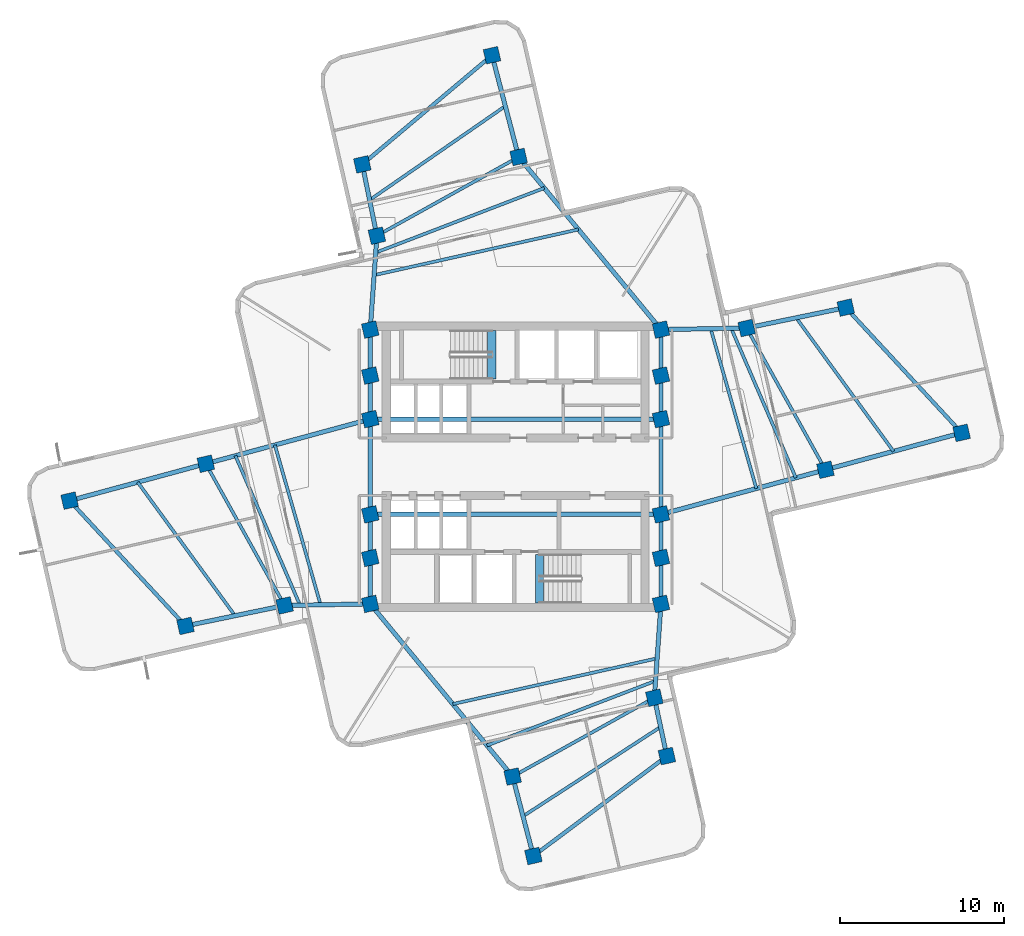
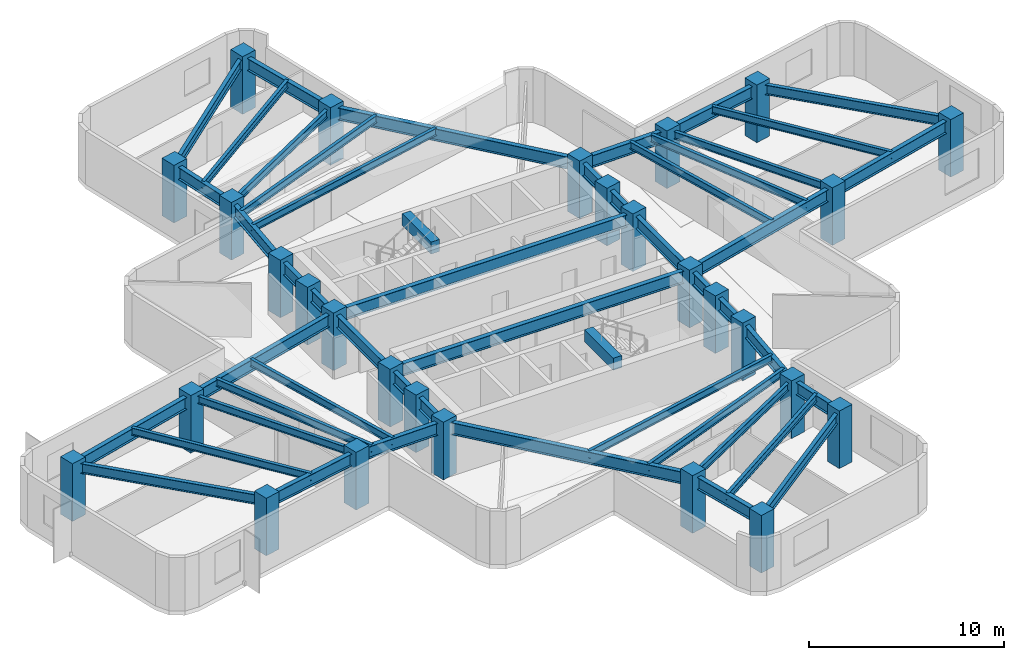
# One storey, part 1 of 7: 50 beams, 28 columns.
"""IFC4 building model written with IfcOpenShell, lengths in metres."""

import ifcopenshell
import ifcopenshell.guid

model = None  # the IFC model being written
_history = None  # IfcOwnerHistory: only IFC2X3 demands one
_inside = {}  # id of a spatial element -> (the spatial element, [elements in it])
_under = {}  # id of a project, library or spatial element -> (it, [spatial elements below it])
_declared = {}  # id of a project -> (the project, [libraries it declares])
_typed = {}  # id of a type object -> (the type object, [elements of that type])
_made_of = {}  # id of a material, layer set ... -> (it, [elements and type objects made of it])


def new_model(schema):
    """Start an empty IFC model of exactly this schema.

    Asked for "IFC4X3", IfcOpenShell would pick the latest addendum, in which some entities
    have other attributes; the version numbers below select the first issue.
    IFC2X3 requires an IfcOwnerHistory on every rooted entity: one is made here for all.
    """
    global model, _history
    if schema == "IFC4X3":
        model = ifcopenshell.file(schema_version=(4, 3, 0, 0))
    else:
        model = ifcopenshell.file(schema=schema)
    _inside.clear()
    _under.clear()
    _declared.clear()
    _typed.clear()
    _made_of.clear()
    _history = None
    if model.schema == "IFC2X3":
        org = make("IfcOrganization", Name="unknown")
        user = make(
            "IfcPersonAndOrganization",
            ThePerson=make("IfcPerson", FamilyName="unknown"),
            TheOrganization=org,
        )
        app = make(
            "IfcApplication",
            ApplicationDeveloper=org,
            Version="unknown",
            ApplicationFullName="unknown",
            ApplicationIdentifier="unknown",
        )
        _history = make(
            "IfcOwnerHistory",
            OwningUser=user,
            OwningApplication=app,
            ChangeAction="ADDED",
            CreationDate=0,
        )
    return model


def make(cls, **values):
    """One entity of the class cls with the attributes given. An attribute that is None is left unset."""
    return model.create_entity(
        cls, **{name: value for name, value in values.items() if value is not None}
    )


def rooted(cls, **values):
    """An entity with a GlobalId (a new one), such as an element, a storey or a relation."""
    return make(cls, GlobalId=ifcopenshell.guid.new(), OwnerHistory=_history, **values)


def si_unit(unit_type, name, prefix=None):
    """IfcSIUnit, for example si_unit("LENGTHUNIT", "METRE", prefix="MILLI")."""
    return make("IfcSIUnit", UnitType=unit_type, Prefix=prefix, Name=name)


def assignment(units):
    """IfcUnitAssignment: the units of a project."""
    return None if units is None else make("IfcUnitAssignment", Units=units)


def point(xyz):
    """IfcCartesianPoint."""
    return None if xyz is None else make("IfcCartesianPoint", Coordinates=xyz)


def direction(xyz):
    """IfcDirection."""
    return None if xyz is None else make("IfcDirection", DirectionRatios=xyz)


def frame(location, z_axis=None, x_axis=None):
    """IfcAxis2Placement3D, a coordinate frame: its origin and axes. An axis left out is left unset."""
    return make(
        "IfcAxis2Placement3D",
        Location=point(location),
        Axis=direction(z_axis),
        RefDirection=direction(x_axis),
    )


def frame_2d(location, x_axis=None):
    """IfcAxis2Placement2D, a coordinate frame in the plane: its origin and x axis."""
    return make(
        "IfcAxis2Placement2D", Location=point(location), RefDirection=direction(x_axis)
    )


def origin():
    """The frame at (0, 0, 0) with its axes left unset."""
    return frame((0.0, 0.0, 0.0))


def origin_2d():
    """The frame at (0, 0) in the plane with its x axis left unset."""
    return frame_2d((0.0, 0.0))


def place(relative_to, where):
    """IfcLocalPlacement: puts the frame where relative to a parent placement (None: the world)."""
    return make(
        "IfcLocalPlacement", PlacementRelTo=relative_to, RelativePlacement=where
    )


def context(
    kind, dimensions, precision=None, world=None, true_north=None, identifier=None
):
    """IfcGeometricRepresentationContext, for example the 3D "Model" context."""
    return make(
        "IfcGeometricRepresentationContext",
        ContextIdentifier=identifier,
        ContextType=kind,
        CoordinateSpaceDimension=dimensions,
        Precision=precision,
        WorldCoordinateSystem=world,
        TrueNorth=true_north,
    )


def subcontext(parent, identifier, kind, view, scale=None):
    """IfcGeometricRepresentationSubContext, for example "Body" below "Model"."""
    return make(
        "IfcGeometricRepresentationSubContext",
        ContextIdentifier=identifier,
        ContextType=kind,
        ParentContext=parent,
        TargetScale=scale,
        TargetView=view,
    )


def project(units=None, contexts=None):
    """IfcProject with its units and contexts."""
    return rooted(
        "IfcProject",
        Name="project",
        RepresentationContexts=contexts,
        UnitsInContext=assignment(units),
    )


def spatial(cls, under=None, at=None, **own):
    """A site, building, storey or space (cls), placed at a placement, below another one or the project."""
    s = rooted(cls, ObjectPlacement=at, **own)
    if under is not None:
        _under.setdefault(under.id(), (under, []))[1].append(s)
    return s


def profile(cls, at=None, kind="AREA", **sizes):
    """A parametric profile (cls). Its sizes go by their IFC names, for example OverallWidth=200.0."""
    return make(cls, ProfileType=kind, Position=at, **sizes)


def rectangle(**sizes):
    """IfcRectangleProfileDef."""
    return profile("IfcRectangleProfileDef", **sizes)


def i_section(**sizes):
    """IfcIShapeProfileDef."""
    return profile("IfcIShapeProfileDef", **sizes)


def extrude(swept, where, along, depth):
    """IfcExtrudedAreaSolid: the profile swept, set in the frame where, extruded along a direction by depth."""
    return make(
        "IfcExtrudedAreaSolid",
        SweptArea=swept,
        Position=where,
        ExtrudedDirection=direction(along),
        Depth=depth,
    )


def shape(context_of_items, identifier, shape_type, items):
    """IfcShapeRepresentation: the items that make up one representation, for example the "Body"."""
    return make(
        "IfcShapeRepresentation",
        ContextOfItems=context_of_items,
        RepresentationIdentifier=identifier,
        RepresentationType=shape_type,
        Items=items,
    )


def material(Name=None, Category=None):
    """IfcMaterial."""
    return make("IfcMaterial", Name=Name, Category=Category)


def material_profile(
    of_material, cross_section, Name=None, Category=None, Priority=None
):
    """IfcMaterialProfile: a cross section and its material."""
    return make(
        "IfcMaterialProfile",
        Name=Name,
        Material=of_material,
        Profile=cross_section,
        Priority=Priority,
        Category=Category,
    )


def profile_set(profiles, Name=None, composite=None):
    """IfcMaterialProfileSet."""
    return make(
        "IfcMaterialProfileSet",
        Name=Name,
        MaterialProfiles=profiles,
        CompositeProfile=composite,
    )


def made_of(thing, what):
    """Note that an element or type object is made of a material, layer set ...; save() writes the relation."""
    if what is not None:
        _made_of.setdefault(what.id(), (what, []))[1].append(thing)
    return thing


def type_object(cls, material=None, **own):
    """A type object (cls), such as IfcWallType, which elements share."""
    return made_of(rooted(cls, **own), material)


def element(
    cls,
    number,
    at=None,
    inside=None,
    cuts=None,
    type_object=None,
    material=None,
    context=None,
    identifier="Body",
    shape_type=None,
    held_by="IfcProductDefinitionShape",
    body=None,
    shapes=None,
    **own,
):
    """One element of the class cls, such as IfcWall. Its Tag is "e" and its number.

    at: its placement. inside: the storey or other place that contains it. cuts: it is an
    opening in that element (IfcRelVoidsElement). A single representation is given by context,
    identifier, shape_type and body (its items); several are given by shapes. held_by: the class
    of the entity that holds the representations. save() writes the other relations.
    """
    e = rooted(cls, Tag="e%d" % number, ObjectPlacement=at, **own)
    if body is not None:
        shapes = [shape(context, identifier, shape_type, body)]
    if shapes is not None:
        e.Representation = make(held_by, Representations=shapes)
    if inside is not None:
        _inside.setdefault(inside.id(), (inside, []))[1].append(e)
    if cuts is not None:
        rooted(
            "IfcRelVoidsElement", RelatingBuildingElement=cuts, RelatedOpeningElement=e
        )
    if type_object is not None:
        _typed.setdefault(type_object.id(), (type_object, []))[1].append(e)
    return made_of(e, material)


def aggregate(whole, parts):
    """IfcRelAggregates: a whole, such as a stair, and the parts it consists of."""
    return rooted("IfcRelAggregates", RelatingObject=whole, RelatedObjects=parts)


def save(model, path):
    """Write the relations noted so far, then the file.

    IfcRelAggregates (storeys below a building ...), IfcRelContainedInSpatialStructure (elements
    in a storey), IfcRelDefinesByType, IfcRelAssociatesMaterial and IfcRelDeclares: one each for
    every whole, place, type object, material and project.
    """
    for whole, parts in _under.values():
        aggregate(whole, parts)
    for where, things in _inside.values():
        rooted(
            "IfcRelContainedInSpatialStructure",
            RelatedElements=things,
            RelatingStructure=where,
        )
    for kind, things in _typed.values():
        rooted("IfcRelDefinesByType", RelatedObjects=things, RelatingType=kind)
    for what, things in _made_of.values():
        rooted("IfcRelAssociatesMaterial", RelatedObjects=things, RelatingMaterial=what)
    for by, libraries in _declared.values():
        rooted("IfcRelDeclares", RelatingContext=by, RelatedDefinitions=libraries)
    model.write(path)


model = new_model("IFC4")

# Units and contexts
model_context = context("Model", 3, precision=1e-05, world=origin(), true_north=direction((0.0, 1.0)))
body_context = subcontext(model_context, "Body", "Model", "MODEL_VIEW")
ifc_project = project(units=[si_unit("LENGTHUNIT", "METRE"), si_unit("AREAUNIT", "SQUARE_METRE"), si_unit("VOLUMEUNIT", "CUBIC_METRE"), si_unit("PLANEANGLEUNIT", "RADIAN"), si_unit("MASSUNIT", "GRAM", prefix="KILO")], contexts=[model_context])

# Site, building, storey
site_placement = place(None, origin())
site = spatial("IfcSite", under=ifc_project, at=site_placement, CompositionType="ELEMENT")
building_placement = place(site_placement, origin())
building = spatial("IfcBuilding", under=site, at=building_placement, Name="Solmarez Civic Tower", CompositionType="ELEMENT")
storey_placement = place(building_placement, frame((0.0, 0.0, 116.280029296875)))
storey = spatial("IfcBuildingStorey", under=building, at=storey_placement, Name="L30", CompositionType="ELEMENT", Elevation=116.280029296875)

# Columns
ifc_material_1 = material(Name="Concrete C50/60", Category="concrete")
ifc_material_profile_1 = material_profile(ifc_material_1, rectangle(XDim=0.89990234375, YDim=0.89990234375, at=origin_2d()), Name="RC900X900")
ifc_profile_set_1 = profile_set([ifc_material_profile_1], Name="Concrete C50/60")
column_type = type_object("IfcColumnType", Name="COL-RC900", PredefinedType="COLUMN", material=ifc_profile_set_1)
for number, where, z_axis, x_axis, name in (
    (1, (-8.85009765625, -5.550048828125, 0.0), (0.0, 0.0, 1.0), (0.974761194191, 0.223250116011, 0.0), "L30 Structural Column HC1"),
    (2, (-8.85009765625, -2.89990234375, 0.0), (0.0, 0.0, 1.0), (0.974761194191, 0.223250116011, 0.0), "L30 Structural Column HC2"),
    (3, (-8.85009765625, 2.89990234375, 0.0), (0.0, 0.0, 1.0), (0.974761194191, 0.223250116011, 0.0), "L30 Structural Column HC3"),
    (4, (-8.85009765625, 5.550048828125, 0.0), (0.0, 0.0, 1.0), (0.974761194191, 0.223250116011, 0.0), "L30 Structural Column HC4"),
    (5, (8.85009765625, -5.550048828125, 0.0), (0.0, 0.0, 1.0), (0.974761194191, 0.223250116011, 0.0), "L30 Structural Column HC5"),
    (6, (8.85009765625, -2.89990234375, 0.0), (0.0, 0.0, 1.0), (0.974761194191, 0.223250116011, 0.0), "L30 Structural Column HC6"),
    (7, (8.85009765625, 2.89990234375, 0.0), (0.0, 0.0, 1.0), (0.974761194191, 0.223250116011, 0.0), "L30 Structural Column HC7"),
    (8, (8.85009765625, 5.550048828125, 0.0), (0.0, 0.0, 1.0), (0.974761194191, 0.223250116011, 0.0), "L30 Structural Column HC8"),
    (9, (-8.85009765625, 8.35009765625, 0.0), (0.0, 0.0, 1.0), (0.974761194191, 0.223250116011, 0.0), "L30 Structural Column HC9"),
    (10, (8.85009765625, -8.35009765625, 0.0), (0.0, 0.0, 1.0), (0.974761194191, 0.223250116011, 0.0), "L30 Structural Column HC10"),
    (11, (8.85009765625, 8.35009765625, 0.0), (0.0, 0.0, 1.0), (0.974761194191, 0.223250116011, 0.0), "L30 Structural Column HC11"),
    (12, (-8.85009765625, -8.35009765625, 0.0), (0.0, 0.0, 1.0), (0.974761194191, 0.223250116011, 0.0), "L30 Structural Column HC12"),
    (13, (18.860107421875, -0.18310546875, 0.0), (0.0, 0.0, 1.0), (0.974761194191, 0.223250116011, 0.0), "L30 Structural Column EA11"),
    (14, (14.06396484375, 8.445068359375, 0.0), (0.0, 0.0, 1.0), (0.974761194191, 0.223250116011, 0.0), "L30 Structural Column EA12"),
    (15, (27.153076171875, 2.06396484375, 0.0), (0.0, 0.0, 1.0), (0.974761194191, 0.223250116011, 0.0), "L30 Structural Column EA21"),
    (16, (20.097900390625, 9.69189453125, 0.0), (0.0, 0.0, 1.0), (0.974761194191, 0.223250116011, 0.0), "L30 Structural Column EA22"),
    (17, (0.18310546875, 18.860107421875, 0.0), (0.0, 0.0, 1.0), (0.974761194191, 0.223250116011, 0.0), "L30 Structural Column NA11"),
    (18, (-8.445068359375, 14.06396484375, 0.0), (0.0, 0.0, 1.0), (0.974761194191, 0.223250116011, 0.0), "L30 Structural Column NA12"),
    (19, (-1.43701171875, 25.052001953125, 0.0), (0.0, 0.0, 1.0), (0.974761194191, 0.223250116011, 0.0), "L30 Structural Column NA21"),
    (20, (-9.3330078125, 18.408935546875, 0.0), (0.0, 0.0, 1.0), (0.974761194191, 0.223250116011, 0.0), "L30 Structural Column NA22"),
    (21, (-18.860107421875, 0.18310546875, 0.0), (0.0, 0.0, 1.0), (0.974761194191, 0.223250116011, 0.0), "L30 Structural Column WA11"),
    (22, (-14.06396484375, -8.445068359375, 0.0), (0.0, 0.0, 1.0), (0.974761194191, 0.223250116011, 0.0), "L30 Structural Column WA12"),
    (23, (-27.153076171875, -2.06396484375, 0.0), (0.0, 0.0, 1.0), (0.974761194191, 0.223250116011, 0.0), "L30 Structural Column WA21"),
    (24, (-20.097900390625, -9.69189453125, 0.0), (0.0, 0.0, 1.0), (0.974761194191, 0.223250116011, 0.0), "L30 Structural Column WA22"),
    (25, (-0.18310546875, -18.860107421875, 0.0), (0.0, 0.0, 1.0), (0.974761194191, 0.223250116011, 0.0), "L30 Structural Column SA11"),
    (26, (8.445068359375, -14.06396484375, 0.0), (0.0, 0.0, 1.0), (0.974761194191, 0.223250116011, 0.0), "L30 Structural Column SA12"),
    (27, (1.0830078125, -23.697021484375, 0.0), (0.0, 0.0, 1.0), (0.974761194191, 0.223250116011, 0.0), "L30 Structural Column SA21"),
    (28, (9.2080078125, -17.614990234375, 0.0), (0.0, 0.0, 1.0), (0.974761194191, 0.223250116011, 0.0), "L30 Structural Column SA22"),
):
    element("IfcColumn", number, at=place(storey_placement, frame(where, z_axis=z_axis, x_axis=x_axis)), inside=storey, type_object=column_type, Name=name, PredefinedType="COLUMN", context=body_context, shape_type="SweptSolid", body=[
        extrude(rectangle(XDim=0.89990234375, YDim=0.89990234375, at=origin_2d()), origin(), (0.0, 0.0, 1.0), 3.599853515625),
    ])

# Beams
ifc_material_2 = material(Name="Steel S355", Category="steel")
ifc_material_profile_2 = material_profile(ifc_material_2, i_section(OverallWidth=0.19189453125, OverallDepth=0.462890625, WebThickness=0.010498046875, FlangeThickness=0.017578125, at=origin_2d()), Name="W18X60")
ifc_profile_set_2 = profile_set([ifc_material_profile_2], Name="Steel S355")
beam_type_1 = type_object("IfcBeamType", Name="BM-JS-W18X60", PredefinedType="JOIST", material=ifc_profile_set_2)
beam_1_placement = place(storey_placement, frame((18.860107421875, -0.18310546875, 3.10888671875), z_axis=(-0.485852902718, 0.874040592261, 0.0), x_axis=(-0.874040592261, -0.485852902718, 0.0)))
element("IfcBeam", 29, at=beam_1_placement, inside=storey, type_object=beam_type_1, Name="L30 Secondary Floor Joist BM-L30-EA-T1", PredefinedType="JOIST", context=body_context, shape_type="SweptSolid", body=[
    extrude(i_section(OverallWidth=0.19189453125, OverallDepth=0.462890625, WebThickness=0.010498046875, FlangeThickness=0.017578125, at=origin_2d()), origin(), (0.0, 0.0, 1.0), 9.87158203125),
])
beam_2_placement = place(storey_placement, frame((23.006103515625, 0.94091796875, 3.10888671875), z_axis=(-0.589058914091, 0.808090091345, 0.0), x_axis=(-0.808090091345, -0.589058914091, 0.0)))
element("IfcBeam", 30, at=beam_2_placement, inside=storey, type_object=beam_type_1, Name="L30 Secondary Floor Joist JS-L30-EA-M2", PredefinedType="JOIST", context=body_context, shape_type="SweptSolid", body=[
    extrude(i_section(OverallWidth=0.19189453125, OverallDepth=0.462890625, WebThickness=0.010498046875, FlangeThickness=0.017578125, at=origin_2d()), origin(), (0.0, 0.0, 1.0), 10.05859375),
])
beam_3_placement = place(storey_placement, frame((14.656005859375, -1.323974609375, 3.10888671875), z_axis=(-0.27492825036, 0.961464745664, 0.0), x_axis=(-0.961464745664, -0.27492825036, 0.0)))
element("IfcBeam", 31, at=beam_3_placement, inside=storey, type_object=beam_type_1, Name="L30 Secondary Floor Joist JS-L30-EA-M11", PredefinedType="JOIST", context=body_context, shape_type="SweptSolid", body=[
    extrude(i_section(OverallWidth=0.19189453125, OverallDepth=0.462890625, WebThickness=0.010498046875, FlangeThickness=0.017578125, at=origin_2d()), origin(), (0.0, 0.0, 1.0), 10.118896484375),
])
beam_4_placement = place(storey_placement, frame((17.05810546875, -0.672119140625, 3.10888671875), z_axis=(-0.396735074316, 0.917933157048, 0.0), x_axis=(-0.917933157048, -0.396735074316, 0.0)))
element("IfcBeam", 32, at=beam_4_placement, inside=storey, type_object=beam_type_1, Name="L30 Secondary Floor Joist JS-L30-EA-M12", PredefinedType="JOIST", context=body_context, shape_type="SweptSolid", body=[
    extrude(i_section(OverallWidth=0.19189453125, OverallDepth=0.462890625, WebThickness=0.010498046875, FlangeThickness=0.017578125, at=origin_2d()), origin(), (0.0, 0.0, 1.0), 9.91357421875),
])
beam_5_placement = place(storey_placement, frame((0.18310546875, 18.860107421875, 3.10888671875), z_axis=(-0.874040592261, -0.485852902718, 0.0), x_axis=(0.485852902718, -0.874040592261, 0.0)))
element("IfcBeam", 33, at=beam_5_placement, inside=storey, type_object=beam_type_1, Name="L30 Secondary Floor Joist BM-L30-NA-T1", PredefinedType="JOIST", context=body_context, shape_type="SweptSolid", body=[
    extrude(i_section(OverallWidth=0.19189453125, OverallDepth=0.462890625, WebThickness=0.010498046875, FlangeThickness=0.017578125, at=origin_2d()), origin(), (0.0, 0.0, 1.0), 9.87158203125),
])
beam_6_placement = place(storey_placement, frame((-0.626953125, 21.9560546875, 3.10888671875), z_axis=(-0.822185194468, -0.56922008573, 0.0), x_axis=(0.56922008573, -0.822185194468, 0.0)))
element("IfcBeam", 34, at=beam_6_placement, inside=storey, type_object=beam_type_1, Name="L30 Secondary Floor Joist JS-L30-NA-M2", PredefinedType="JOIST", context=body_context, shape_type="SweptSolid", body=[
    extrude(i_section(OverallWidth=0.19189453125, OverallDepth=0.462890625, WebThickness=0.010498046875, FlangeThickness=0.017578125, at=origin_2d()), origin(), (0.0, 0.0, 1.0), 10.048828125),
])
beam_7_placement = place(storey_placement, frame((3.822998046875, 14.446044921875, 3.10888671875), z_axis=(-0.975887310906, -0.218274955988, 0.0), x_axis=(0.218274955988, -0.975887310906, 0.0)))
element("IfcBeam", 35, at=beam_7_placement, inside=storey, type_object=beam_type_1, Name="L30 Secondary Floor Joist JS-L30-NA-M11", PredefinedType="JOIST", context=body_context, shape_type="SweptSolid", body=[
    extrude(i_section(OverallWidth=0.19189453125, OverallDepth=0.462890625, WebThickness=0.010498046875, FlangeThickness=0.017578125, at=origin_2d()), origin(), (0.0, 0.0, 1.0), 12.745361328125),
])
beam_8_placement = place(storey_placement, frame((1.742919921875, 16.968017578125, 3.10888671875), z_axis=(-0.933754408709, -0.357914381125, 0.0), x_axis=(0.357914381125, -0.933754408709, 0.0)))
element("IfcBeam", 36, at=beam_8_placement, inside=storey, type_object=beam_type_1, Name="L30 Secondary Floor Joist JS-L30-NA-M12", PredefinedType="JOIST", context=body_context, shape_type="SweptSolid", body=[
    extrude(i_section(OverallWidth=0.19189453125, OverallDepth=0.462890625, WebThickness=0.010498046875, FlangeThickness=0.017578125, at=origin_2d()), origin(), (0.0, 0.0, 1.0), 10.989013671875),
])
beam_9_placement = place(storey_placement, frame((-18.860107421875, 0.18310546875, 3.10888671875), z_axis=(0.485852902718, -0.874040592261, 0.0), x_axis=(0.874040592261, 0.485852902718, 0.0)))
element("IfcBeam", 37, at=beam_9_placement, inside=storey, type_object=beam_type_1, Name="L30 Secondary Floor Joist BM-L30-WA-T1", PredefinedType="JOIST", context=body_context, shape_type="SweptSolid", body=[
    extrude(i_section(OverallWidth=0.19189453125, OverallDepth=0.462890625, WebThickness=0.010498046875, FlangeThickness=0.017578125, at=origin_2d()), origin(), (0.0, 0.0, 1.0), 9.87158203125),
])
beam_10_placement = place(storey_placement, frame((-23.006103515625, -0.94091796875, 3.10888671875), z_axis=(0.589058914091, -0.808090091345, 0.0), x_axis=(0.808090091345, 0.589058914091, 0.0)))
element("IfcBeam", 38, at=beam_10_placement, inside=storey, type_object=beam_type_1, Name="L30 Secondary Floor Joist JS-L30-WA-M2", PredefinedType="JOIST", context=body_context, shape_type="SweptSolid", body=[
    extrude(i_section(OverallWidth=0.19189453125, OverallDepth=0.462890625, WebThickness=0.010498046875, FlangeThickness=0.017578125, at=origin_2d()), origin(), (0.0, 0.0, 1.0), 10.05859375),
])
beam_11_placement = place(storey_placement, frame((-14.656005859375, 1.323974609375, 3.10888671875), z_axis=(0.27492825036, -0.961464745664, 0.0), x_axis=(0.961464745664, 0.27492825036, 0.0)))
element("IfcBeam", 39, at=beam_11_placement, inside=storey, type_object=beam_type_1, Name="L30 Secondary Floor Joist JS-L30-WA-M11", PredefinedType="JOIST", context=body_context, shape_type="SweptSolid", body=[
    extrude(i_section(OverallWidth=0.19189453125, OverallDepth=0.462890625, WebThickness=0.010498046875, FlangeThickness=0.017578125, at=origin_2d()), origin(), (0.0, 0.0, 1.0), 10.118896484375),
])
beam_12_placement = place(storey_placement, frame((-17.05810546875, 0.672119140625, 3.10888671875), z_axis=(0.396735074316, -0.917933157048, 0.0), x_axis=(0.917933157048, 0.396735074316, 0.0)))
element("IfcBeam", 40, at=beam_12_placement, inside=storey, type_object=beam_type_1, Name="L30 Secondary Floor Joist JS-L30-WA-M12", PredefinedType="JOIST", context=body_context, shape_type="SweptSolid", body=[
    extrude(i_section(OverallWidth=0.19189453125, OverallDepth=0.462890625, WebThickness=0.010498046875, FlangeThickness=0.017578125, at=origin_2d()), origin(), (0.0, 0.0, 1.0), 9.91357421875),
])
beam_13_placement = place(storey_placement, frame((-0.18310546875, -18.860107421875, 3.10888671875), z_axis=(0.874040592261, 0.485852902718, 0.0), x_axis=(-0.485852902718, 0.874040592261, 0.0)))
element("IfcBeam", 41, at=beam_13_placement, inside=storey, type_object=beam_type_1, Name="L30 Secondary Floor Joist BM-L30-SA-T1", PredefinedType="JOIST", context=body_context, shape_type="SweptSolid", body=[
    extrude(i_section(OverallWidth=0.19189453125, OverallDepth=0.462890625, WebThickness=0.010498046875, FlangeThickness=0.017578125, at=origin_2d()), origin(), (0.0, 0.0, 1.0), 9.87158203125),
])
beam_14_placement = place(storey_placement, frame((0.449951171875, -21.279052734375, 3.10888671875), z_axis=(0.83864684805, 0.54467555871, 0.0), x_axis=(-0.54467555871, 0.83864684805, 0.0)))
element("IfcBeam", 42, at=beam_14_placement, inside=storey, type_object=beam_type_1, Name="L30 Secondary Floor Joist JS-L30-SA-M2", PredefinedType="JOIST", context=body_context, shape_type="SweptSolid", body=[
    extrude(i_section(OverallWidth=0.19189453125, OverallDepth=0.462890625, WebThickness=0.010498046875, FlangeThickness=0.017578125, at=origin_2d()), origin(), (0.0, 0.0, 1.0), 9.987548828125),
])
beam_15_placement = place(storey_placement, frame((-3.822998046875, -14.446044921875, 3.10888671875), z_axis=(0.975887310906, 0.218274955988, 0.0), x_axis=(-0.218274955988, 0.975887310906, 0.0)))
element("IfcBeam", 43, at=beam_15_placement, inside=storey, type_object=beam_type_1, Name="L30 Secondary Floor Joist JS-L30-SA-M11", PredefinedType="JOIST", context=body_context, shape_type="SweptSolid", body=[
    extrude(i_section(OverallWidth=0.19189453125, OverallDepth=0.462890625, WebThickness=0.010498046875, FlangeThickness=0.017578125, at=origin_2d()), origin(), (0.0, 0.0, 1.0), 12.745361328125),
])
beam_16_placement = place(storey_placement, frame((-1.742919921875, -16.968017578125, 3.10888671875), z_axis=(0.933754408709, 0.357914381125, 0.0), x_axis=(-0.357914381125, 0.933754408709, 0.0)))
element("IfcBeam", 44, at=beam_16_placement, inside=storey, type_object=beam_type_1, Name="L30 Secondary Floor Joist JS-L30-SA-M12", PredefinedType="JOIST", context=body_context, shape_type="SweptSolid", body=[
    extrude(i_section(OverallWidth=0.19189453125, OverallDepth=0.462890625, WebThickness=0.010498046875, FlangeThickness=0.017578125, at=origin_2d()), origin(), (0.0, 0.0, 1.0), 10.989013671875),
])
ifc_material_profile_3 = material_profile(ifc_material_1, rectangle(XDim=0.5, YDim=0.75, at=origin_2d()), Name="RC500X750")
ifc_profile_set_3 = profile_set([ifc_material_profile_3], Name="Concrete C50/60")
beam_type_2 = type_object("IfcBeamType", Name="BM-PR-RC500X750", PredefinedType="BEAM", material=ifc_profile_set_3)
for number, where, z_axis, x_axis, name in (
    (45, (-1.449951171875, 5.340087890625, 3.23291015625), (0.0, 1.0, 0.0), (-1.0, 0.0, 0.0), "L30 North Stair Threshold Beam"),
    (46, (1.449951171875, -8.300048828125, 3.23291015625), (0.0, 1.0, 0.0), (-1.0, 0.0, 0.0), "L30 South Stair Threshold Beam"),
):
    element("IfcBeam", number, at=place(storey_placement, frame(where, z_axis=z_axis, x_axis=x_axis)), inside=storey, type_object=beam_type_2, Name=name, PredefinedType="BEAM", context=body_context, shape_type="SweptSolid", body=[
        extrude(rectangle(XDim=0.5, YDim=0.75, at=origin_2d()), origin(), (0.0, 0.0, 1.0), 2.9599609375),
    ])
ifc_material_profile_4 = material_profile(ifc_material_2, i_section(OverallWidth=0.26708984375, OverallDepth=0.761962890625, WebThickness=0.014404296875, FlangeThickness=0.021484375, at=origin_2d()), Name="W30X116")
ifc_profile_set_4 = profile_set([ifc_material_profile_4], Name="Steel S355")
beam_type_3 = type_object("IfcBeamType", Name="BM-PR-W30X116", PredefinedType="BEAM", material=ifc_profile_set_4)
beam_17_placement = place(storey_placement, frame((-8.85009765625, -8.35009765625, 2.958984375), z_axis=(0.0, 1.0, 0.0), x_axis=(-1.0, 0.0, 0.0)))
element("IfcBeam", 47, at=beam_17_placement, inside=storey, type_object=beam_type_3, Name="L30 Primary Floor Beam BM-L30-HC12-HC1", PredefinedType="BEAM", context=body_context, shape_type="SweptSolid", body=[
    extrude(i_section(OverallWidth=0.26708984375, OverallDepth=0.761962890625, WebThickness=0.014404296875, FlangeThickness=0.021484375, at=origin_2d()), origin(), (0.0, 0.0, 1.0), 2.800048828125),
])
beam_18_placement = place(storey_placement, frame((-8.85009765625, -5.550048828125, 2.958984375), z_axis=(0.0, 1.0, 0.0), x_axis=(-1.0, 0.0, 0.0)))
element("IfcBeam", 48, at=beam_18_placement, inside=storey, type_object=beam_type_3, Name="L30 Primary Floor Beam BM-L30-HC1-HC2", PredefinedType="BEAM", context=body_context, shape_type="SweptSolid", body=[
    extrude(i_section(OverallWidth=0.26708984375, OverallDepth=0.761962890625, WebThickness=0.014404296875, FlangeThickness=0.021484375, at=origin_2d()), origin(), (0.0, 0.0, 1.0), 2.650146484375),
])
beam_19_placement = place(storey_placement, frame((-8.85009765625, -2.89990234375, 2.958984375), z_axis=(0.0, 1.0, 0.0), x_axis=(-1.0, 0.0, 0.0)))
element("IfcBeam", 49, at=beam_19_placement, inside=storey, type_object=beam_type_3, Name="L30 Primary Floor Beam BM-L30-HC2-HC3", PredefinedType="BEAM", context=body_context, shape_type="SweptSolid", body=[
    extrude(i_section(OverallWidth=0.26708984375, OverallDepth=0.761962890625, WebThickness=0.014404296875, FlangeThickness=0.021484375, at=origin_2d()), origin(), (0.0, 0.0, 1.0), 5.7998046875),
])
beam_20_placement = place(storey_placement, frame((-8.85009765625, 2.89990234375, 2.958984375), z_axis=(0.0, 1.0, 0.0), x_axis=(-1.0, 0.0, 0.0)))
element("IfcBeam", 50, at=beam_20_placement, inside=storey, type_object=beam_type_3, Name="L30 Primary Floor Beam BM-L30-HC3-HC4", PredefinedType="BEAM", context=body_context, shape_type="SweptSolid", body=[
    extrude(i_section(OverallWidth=0.26708984375, OverallDepth=0.761962890625, WebThickness=0.014404296875, FlangeThickness=0.021484375, at=origin_2d()), origin(), (0.0, 0.0, 1.0), 2.650146484375),
])
for number, where, z_axis, x_axis, name in (
    (51, (-8.85009765625, 5.550048828125, 2.958984375), (0.0, 1.0, 0.0), (-1.0, 0.0, 0.0), "L30 Primary Floor Beam BM-L30-HC4-HC9"),
    (52, (8.85009765625, -8.35009765625, 2.958984375), (0.0, 1.0, 0.0), (-1.0, 0.0, 0.0), "L30 Primary Floor Beam BM-L30-HC10-HC5"),
):
    element("IfcBeam", number, at=place(storey_placement, frame(where, z_axis=z_axis, x_axis=x_axis)), inside=storey, type_object=beam_type_3, Name=name, PredefinedType="BEAM", context=body_context, shape_type="SweptSolid", body=[
        extrude(i_section(OverallWidth=0.26708984375, OverallDepth=0.761962890625, WebThickness=0.014404296875, FlangeThickness=0.021484375, at=origin_2d()), origin(), (0.0, 0.0, 1.0), 2.800048828125),
    ])
beam_21_placement = place(storey_placement, frame((8.85009765625, -5.550048828125, 2.958984375), z_axis=(0.0, 1.0, 0.0), x_axis=(-1.0, 0.0, 0.0)))
element("IfcBeam", 53, at=beam_21_placement, inside=storey, type_object=beam_type_3, Name="L30 Primary Floor Beam BM-L30-HC5-HC6", PredefinedType="BEAM", context=body_context, shape_type="SweptSolid", body=[
    extrude(i_section(OverallWidth=0.26708984375, OverallDepth=0.761962890625, WebThickness=0.014404296875, FlangeThickness=0.021484375, at=origin_2d()), origin(), (0.0, 0.0, 1.0), 2.650146484375),
])
beam_22_placement = place(storey_placement, frame((8.85009765625, -2.89990234375, 2.958984375), z_axis=(0.0, 1.0, 0.0), x_axis=(-1.0, 0.0, 0.0)))
element("IfcBeam", 54, at=beam_22_placement, inside=storey, type_object=beam_type_3, Name="L30 Primary Floor Beam BM-L30-HC6-HC7", PredefinedType="BEAM", context=body_context, shape_type="SweptSolid", body=[
    extrude(i_section(OverallWidth=0.26708984375, OverallDepth=0.761962890625, WebThickness=0.014404296875, FlangeThickness=0.021484375, at=origin_2d()), origin(), (0.0, 0.0, 1.0), 5.7998046875),
])
beam_23_placement = place(storey_placement, frame((8.85009765625, 2.89990234375, 2.958984375), z_axis=(0.0, 1.0, 0.0), x_axis=(-1.0, 0.0, 0.0)))
element("IfcBeam", 55, at=beam_23_placement, inside=storey, type_object=beam_type_3, Name="L30 Primary Floor Beam BM-L30-HC7-HC8", PredefinedType="BEAM", context=body_context, shape_type="SweptSolid", body=[
    extrude(i_section(OverallWidth=0.26708984375, OverallDepth=0.761962890625, WebThickness=0.014404296875, FlangeThickness=0.021484375, at=origin_2d()), origin(), (0.0, 0.0, 1.0), 2.650146484375),
])
beam_24_placement = place(storey_placement, frame((8.85009765625, 5.550048828125, 2.958984375), z_axis=(0.0, 1.0, 0.0), x_axis=(-1.0, 0.0, 0.0)))
element("IfcBeam", 56, at=beam_24_placement, inside=storey, type_object=beam_type_3, Name="L30 Primary Floor Beam BM-L30-HC8-HC11", PredefinedType="BEAM", context=body_context, shape_type="SweptSolid", body=[
    extrude(i_section(OverallWidth=0.26708984375, OverallDepth=0.761962890625, WebThickness=0.014404296875, FlangeThickness=0.021484375, at=origin_2d()), origin(), (0.0, 0.0, 1.0), 2.800048828125),
])
for number, where, z_axis, x_axis, name in (
    (57, (-8.85009765625, -2.89990234375, 2.958984375), (1.0, 0.0, 0.0), (0.0, 1.0, 0.0), "L30 Primary Floor Beam BM-L30-HC2-HC6"),
    (58, (-8.85009765625, 2.89990234375, 2.958984375), (1.0, 0.0, 0.0), (0.0, 1.0, 0.0), "L30 Primary Floor Beam BM-L30-HC3-HC7"),
):
    element("IfcBeam", number, at=place(storey_placement, frame(where, z_axis=z_axis, x_axis=x_axis)), inside=storey, type_object=beam_type_3, Name=name, PredefinedType="BEAM", context=body_context, shape_type="SweptSolid", body=[
        extrude(i_section(OverallWidth=0.26708984375, OverallDepth=0.761962890625, WebThickness=0.014404296875, FlangeThickness=0.021484375, at=origin_2d()), origin(), (0.0, 0.0, 1.0), 17.7001953125),
    ])
beam_25_placement = place(storey_placement, frame((8.85009765625, -2.89990234375, 2.958984375), z_axis=(0.965086289853, 0.261932153691, 0.0), x_axis=(-0.261932153691, 0.965086289853, 0.0)))
element("IfcBeam", 59, at=beam_25_placement, inside=storey, type_object=beam_type_3, Name="L30 Primary Floor Beam BM-L30-EA-R1A", PredefinedType="BEAM", context=body_context, shape_type="SweptSolid", body=[
    extrude(i_section(OverallWidth=0.26708984375, OverallDepth=0.761962890625, WebThickness=0.014404296875, FlangeThickness=0.021484375, at=origin_2d()), origin(), (0.0, 0.0, 1.0), 10.3720703125),
])
beam_26_placement = place(storey_placement, frame((8.85009765625, 8.35009765625, 2.958984375), z_axis=(0.999834147765, 0.018212000538, 0.0), x_axis=(-0.018212000538, 0.999834147765, 0.0)))
element("IfcBeam", 60, at=beam_26_placement, inside=storey, type_object=beam_type_3, Name="L30 Primary Floor Beam BM-L30-EA-R1B", PredefinedType="BEAM", context=body_context, shape_type="SweptSolid", body=[
    extrude(i_section(OverallWidth=0.26708984375, OverallDepth=0.761962890625, WebThickness=0.014404296875, FlangeThickness=0.021484375, at=origin_2d()), origin(), (0.0, 0.0, 1.0), 5.21484375),
])
beam_27_placement = place(storey_placement, frame((18.860107421875, -0.18310546875, 2.958984375), z_axis=(0.965195296066, 0.261530190326, 0.0), x_axis=(-0.261530190326, 0.965195296066, 0.0)))
element("IfcBeam", 61, at=beam_27_placement, inside=storey, type_object=beam_type_3, Name="L30 Primary Floor Beam BM-L30-EA-R2A", PredefinedType="BEAM", context=body_context, shape_type="SweptSolid", body=[
    extrude(i_section(OverallWidth=0.26708984375, OverallDepth=0.761962890625, WebThickness=0.014404296875, FlangeThickness=0.021484375, at=origin_2d()), origin(), (0.0, 0.0, 1.0), 8.592041015625),
])
beam_28_placement = place(storey_placement, frame((14.06396484375, 8.445068359375, 2.958984375), z_axis=(0.979311082476, 0.202360578523, 0.0), x_axis=(-0.202360578523, 0.979311082476, 0.0)))
element("IfcBeam", 62, at=beam_28_placement, inside=storey, type_object=beam_type_3, Name="L30 Primary Floor Beam BM-L30-EA-R2B", PredefinedType="BEAM", context=body_context, shape_type="SweptSolid", body=[
    extrude(i_section(OverallWidth=0.26708984375, OverallDepth=0.761962890625, WebThickness=0.014404296875, FlangeThickness=0.021484375, at=origin_2d()), origin(), (0.0, 0.0, 1.0), 6.161376953125),
])
beam_29_placement = place(storey_placement, frame((8.85009765625, 8.35009765625, 2.958984375), z_axis=(-0.636218453069, 0.77150896299, 0.0), x_axis=(-0.77150896299, -0.636218453069, 0.0)))
element("IfcBeam", 63, at=beam_29_placement, inside=storey, type_object=beam_type_3, Name="L30 Primary Floor Beam BM-L30-NA-R1A", PredefinedType="BEAM", context=body_context, shape_type="SweptSolid", body=[
    extrude(i_section(OverallWidth=0.26708984375, OverallDepth=0.761962890625, WebThickness=0.014404296875, FlangeThickness=0.021484375, at=origin_2d()), origin(), (0.0, 0.0, 1.0), 13.62255859375),
])
beam_30_placement = place(storey_placement, frame((-8.85009765625, 8.35009765625, 2.958984375), z_axis=(0.070707897353, 0.997497064282, 0.0), x_axis=(-0.997497064282, 0.070707897353, 0.0)))
element("IfcBeam", 64, at=beam_30_placement, inside=storey, type_object=beam_type_3, Name="L30 Primary Floor Beam BM-L30-NA-R1B", PredefinedType="BEAM", context=body_context, shape_type="SweptSolid", body=[
    extrude(i_section(OverallWidth=0.26708984375, OverallDepth=0.761962890625, WebThickness=0.014404296875, FlangeThickness=0.021484375, at=origin_2d()), origin(), (0.0, 0.0, 1.0), 5.728271484375),
])
beam_31_placement = place(storey_placement, frame((0.18310546875, 18.860107421875, 2.958984375), z_axis=(-0.25312990791, 0.967432297229, 0.0), x_axis=(-0.967432297229, -0.25312990791, 0.0)))
element("IfcBeam", 65, at=beam_31_placement, inside=storey, type_object=beam_type_3, Name="L30 Primary Floor Beam BM-L30-NA-R2A", PredefinedType="BEAM", context=body_context, shape_type="SweptSolid", body=[
    extrude(i_section(OverallWidth=0.26708984375, OverallDepth=0.761962890625, WebThickness=0.014404296875, FlangeThickness=0.021484375, at=origin_2d()), origin(), (0.0, 0.0, 1.0), 6.400390625),
])
beam_32_placement = place(storey_placement, frame((-8.445068359375, 14.06396484375, 2.958984375), z_axis=(-0.200222099018, 0.979750535118, 0.0), x_axis=(-0.979750535118, -0.200222099018, 0.0)))
element("IfcBeam", 66, at=beam_32_placement, inside=storey, type_object=beam_type_3, Name="L30 Primary Floor Beam BM-L30-NA-R2B", PredefinedType="BEAM", context=body_context, shape_type="SweptSolid", body=[
    extrude(i_section(OverallWidth=0.26708984375, OverallDepth=0.761962890625, WebThickness=0.014404296875, FlangeThickness=0.021484375, at=origin_2d()), origin(), (0.0, 0.0, 1.0), 4.434814453125),
])
beam_33_placement = place(storey_placement, frame((-8.85009765625, 2.89990234375, 2.958984375), z_axis=(-0.965086289853, -0.261932153691, 0.0), x_axis=(0.261932153691, -0.965086289853, 0.0)))
element("IfcBeam", 67, at=beam_33_placement, inside=storey, type_object=beam_type_3, Name="L30 Primary Floor Beam BM-L30-WA-R1A", PredefinedType="BEAM", context=body_context, shape_type="SweptSolid", body=[
    extrude(i_section(OverallWidth=0.26708984375, OverallDepth=0.761962890625, WebThickness=0.014404296875, FlangeThickness=0.021484375, at=origin_2d()), origin(), (0.0, 0.0, 1.0), 10.3720703125),
])
beam_34_placement = place(storey_placement, frame((-8.85009765625, -8.35009765625, 2.958984375), z_axis=(-0.999834147765, -0.018212000538, 0.0), x_axis=(0.018212000538, -0.999834147765, 0.0)))
element("IfcBeam", 68, at=beam_34_placement, inside=storey, type_object=beam_type_3, Name="L30 Primary Floor Beam BM-L30-WA-R1B", PredefinedType="BEAM", context=body_context, shape_type="SweptSolid", body=[
    extrude(i_section(OverallWidth=0.26708984375, OverallDepth=0.761962890625, WebThickness=0.014404296875, FlangeThickness=0.021484375, at=origin_2d()), origin(), (0.0, 0.0, 1.0), 5.21484375),
])
beam_35_placement = place(storey_placement, frame((-18.860107421875, 0.18310546875, 2.958984375), z_axis=(-0.965195296066, -0.261530190326, 0.0), x_axis=(0.261530190326, -0.965195296066, 0.0)))
element("IfcBeam", 69, at=beam_35_placement, inside=storey, type_object=beam_type_3, Name="L30 Primary Floor Beam BM-L30-WA-R2A", PredefinedType="BEAM", context=body_context, shape_type="SweptSolid", body=[
    extrude(i_section(OverallWidth=0.26708984375, OverallDepth=0.761962890625, WebThickness=0.014404296875, FlangeThickness=0.021484375, at=origin_2d()), origin(), (0.0, 0.0, 1.0), 8.592041015625),
])
beam_36_placement = place(storey_placement, frame((-14.06396484375, -8.445068359375, 2.958984375), z_axis=(-0.979311082476, -0.202360578523, 0.0), x_axis=(0.202360578523, -0.979311082476, 0.0)))
element("IfcBeam", 70, at=beam_36_placement, inside=storey, type_object=beam_type_3, Name="L30 Primary Floor Beam BM-L30-WA-R2B", PredefinedType="BEAM", context=body_context, shape_type="SweptSolid", body=[
    extrude(i_section(OverallWidth=0.26708984375, OverallDepth=0.761962890625, WebThickness=0.014404296875, FlangeThickness=0.021484375, at=origin_2d()), origin(), (0.0, 0.0, 1.0), 6.161376953125),
])
beam_37_placement = place(storey_placement, frame((-8.85009765625, -8.35009765625, 2.958984375), z_axis=(0.636218453069, -0.77150896299, 0.0), x_axis=(0.77150896299, 0.636218453069, 0.0)))
element("IfcBeam", 71, at=beam_37_placement, inside=storey, type_object=beam_type_3, Name="L30 Primary Floor Beam BM-L30-SA-R1A", PredefinedType="BEAM", context=body_context, shape_type="SweptSolid", body=[
    extrude(i_section(OverallWidth=0.26708984375, OverallDepth=0.761962890625, WebThickness=0.014404296875, FlangeThickness=0.021484375, at=origin_2d()), origin(), (0.0, 0.0, 1.0), 13.62255859375),
])
beam_38_placement = place(storey_placement, frame((8.85009765625, -8.35009765625, 2.958984375), z_axis=(-0.070707897353, -0.997497064282, 0.0), x_axis=(0.997497064282, -0.070707897353, 0.0)))
element("IfcBeam", 72, at=beam_38_placement, inside=storey, type_object=beam_type_3, Name="L30 Primary Floor Beam BM-L30-SA-R1B", PredefinedType="BEAM", context=body_context, shape_type="SweptSolid", body=[
    extrude(i_section(OverallWidth=0.26708984375, OverallDepth=0.761962890625, WebThickness=0.014404296875, FlangeThickness=0.021484375, at=origin_2d()), origin(), (0.0, 0.0, 1.0), 5.728271484375),
])
beam_39_placement = place(storey_placement, frame((-0.18310546875, -18.860107421875, 2.958984375), z_axis=(0.253228832632, -0.967406408043, 0.0), x_axis=(0.967406408043, 0.253228832632, 0.0)))
element("IfcBeam", 73, at=beam_39_placement, inside=storey, type_object=beam_type_3, Name="L30 Primary Floor Beam BM-L30-SA-R2A", PredefinedType="BEAM", context=body_context, shape_type="SweptSolid", body=[
    extrude(i_section(OverallWidth=0.26708984375, OverallDepth=0.761962890625, WebThickness=0.014404296875, FlangeThickness=0.021484375, at=origin_2d()), origin(), (0.0, 0.0, 1.0), 5.0),
])
beam_40_placement = place(storey_placement, frame((8.445068359375, -14.06396484375, 2.958984375), z_axis=(0.210056967216, -0.977689148208, 0.0), x_axis=(0.977689148208, 0.210056967216, 0.0)))
element("IfcBeam", 74, at=beam_40_placement, inside=storey, type_object=beam_type_3, Name="L30 Primary Floor Beam BM-L30-SA-R2B", PredefinedType="BEAM", context=body_context, shape_type="SweptSolid", body=[
    extrude(i_section(OverallWidth=0.26708984375, OverallDepth=0.761962890625, WebThickness=0.014404296875, FlangeThickness=0.021484375, at=origin_2d()), origin(), (0.0, 0.0, 1.0), 3.632080078125),
])
ifc_material_profile_5 = material_profile(ifc_material_2, i_section(OverallWidth=0.22900390625, OverallDepth=0.612060546875, WebThickness=0.011962890625, FlangeThickness=0.01953125, at=origin_2d()), Name="W24X84")
ifc_profile_set_5 = profile_set([ifc_material_profile_5], Name="Steel S355")
beam_type_4 = type_object("IfcBeamType", Name="BM-SP-W24X84", PredefinedType="SPANDREL", material=ifc_profile_set_5)
beam_41_placement = place(storey_placement, frame((27.153076171875, 2.06396484375, 3.033935546875), z_axis=(-0.679007792344, 0.734131063187, 0.0), x_axis=(-0.734131063187, -0.679007792344, 0.0)))
element("IfcBeam", 75, at=beam_41_placement, inside=storey, type_object=beam_type_4, Name="L30 Perimeter Spandrel Beam BM-L30-EA-T2", PredefinedType="SPANDREL", context=body_context, shape_type="SweptSolid", body=[
    extrude(i_section(OverallWidth=0.22900390625, OverallDepth=0.612060546875, WebThickness=0.011962890625, FlangeThickness=0.01953125, at=origin_2d()), origin(), (0.0, 0.0, 1.0), 10.390380859375),
])
beam_42_placement = place(storey_placement, frame((-1.43701171875, 25.052001953125, 3.033935546875), z_axis=(-0.765206846446, -0.643784499777, 0.0), x_axis=(0.643784499777, -0.765206846446, 0.0)))
element("IfcBeam", 76, at=beam_42_placement, inside=storey, type_object=beam_type_4, Name="L30 Perimeter Spandrel Beam BM-L30-NA-T2", PredefinedType="SPANDREL", context=body_context, shape_type="SweptSolid", body=[
    extrude(i_section(OverallWidth=0.22900390625, OverallDepth=0.612060546875, WebThickness=0.011962890625, FlangeThickness=0.01953125, at=origin_2d()), origin(), (0.0, 0.0, 1.0), 10.31884765625),
])
beam_43_placement = place(storey_placement, frame((-27.153076171875, -2.06396484375, 3.033935546875), z_axis=(0.679007792344, -0.734131063187, 0.0), x_axis=(0.734131063187, 0.679007792344, 0.0)))
element("IfcBeam", 77, at=beam_43_placement, inside=storey, type_object=beam_type_4, Name="L30 Perimeter Spandrel Beam BM-L30-WA-T2", PredefinedType="SPANDREL", context=body_context, shape_type="SweptSolid", body=[
    extrude(i_section(OverallWidth=0.22900390625, OverallDepth=0.612060546875, WebThickness=0.011962890625, FlangeThickness=0.01953125, at=origin_2d()), origin(), (0.0, 0.0, 1.0), 10.390380859375),
])
beam_44_placement = place(storey_placement, frame((1.0830078125, -23.697021484375, 3.033935546875), z_axis=(0.800553888314, 0.599260771205, 0.0), x_axis=(-0.599260771205, 0.800553888314, 0.0)))
element("IfcBeam", 78, at=beam_44_placement, inside=storey, type_object=beam_type_4, Name="L30 Perimeter Spandrel Beam BM-L30-SA-T2", PredefinedType="SPANDREL", context=body_context, shape_type="SweptSolid", body=[
    extrude(i_section(OverallWidth=0.22900390625, OverallDepth=0.612060546875, WebThickness=0.011962890625, FlangeThickness=0.01953125, at=origin_2d()), origin(), (0.0, 0.0, 1.0), 10.149169921875),
])

save(model, "model.ifc")
